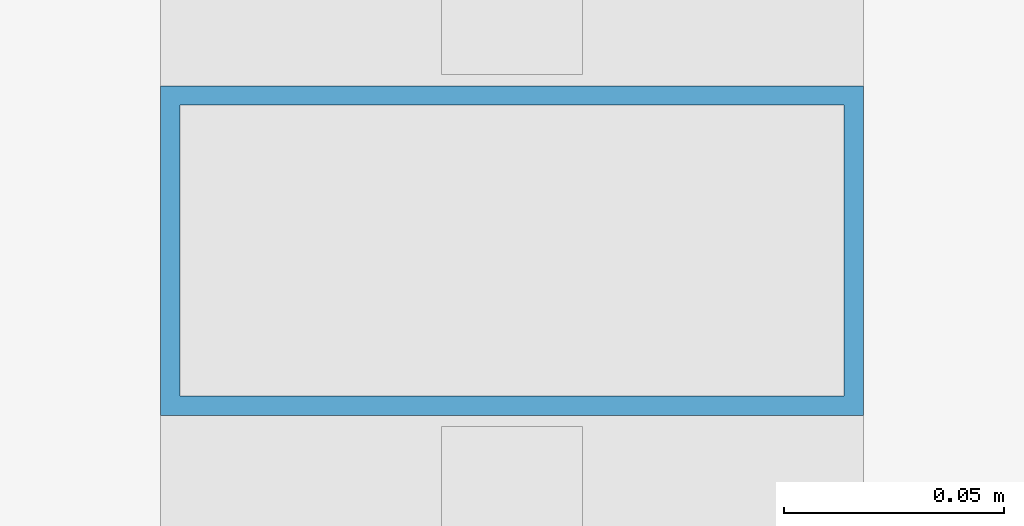
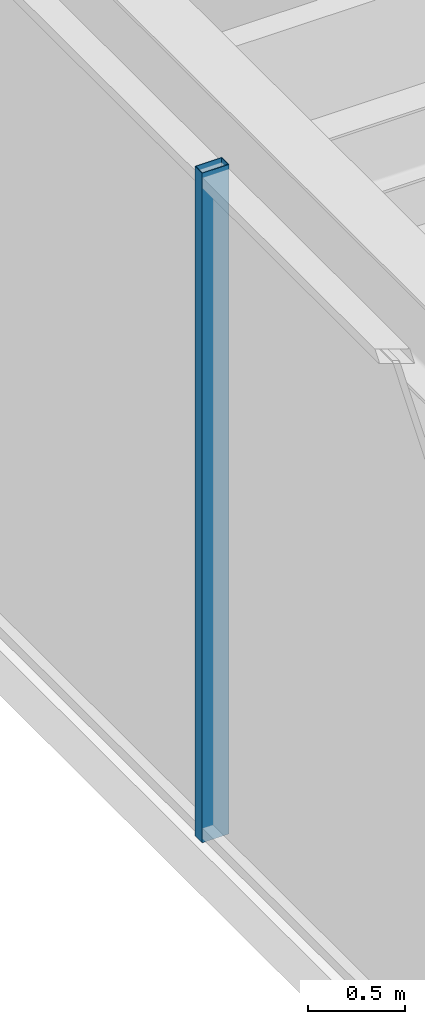
# One storey, part 12 of 47: 1 member, 1 element without a shape of its own.
"""IFC4 building model written with IfcOpenShell, lengths in metres."""

from ifc_helpers import new_model, si_unit, direction, frame, origin, origin_2d, place, context, subcontext, project, spatial, hollow_rectangle, extrude, material, material_profile, profile_set, type_object, element, aggregate, save


model = new_model("IFC4")

# Units and contexts
model_context = context("Model", 3, precision=1e-05, world=origin(), true_north=direction((0.0, 1.0)))
body_context = subcontext(model_context, "Body", "Model", "MODEL_VIEW")
ifc_project = project(units=[si_unit("LENGTHUNIT", "METRE"), si_unit("AREAUNIT", "SQUARE_METRE"), si_unit("VOLUMEUNIT", "CUBIC_METRE"), si_unit("PLANEANGLEUNIT", "RADIAN"), si_unit("MASSUNIT", "GRAM", prefix="KILO")], contexts=[model_context])

# Site, building, storey
site_placement = place(None, origin())
site = spatial("IfcSite", under=ifc_project, at=site_placement, CompositionType="ELEMENT")
building_placement = place(site_placement, origin())
building = spatial("IfcBuilding", under=site, at=building_placement, Name="Kolvaren Belvedere", CompositionType="ELEMENT")
storey_placement = place(building_placement, frame((0.0, 0.0, 5.5)))
storey = spatial("IfcBuildingStorey", under=building, at=storey_placement, Name="L02", CompositionType="ELEMENT", Elevation=5.5)

# Curtain wall, member
ifc_material_1 = material(Name="Anodised pale-metal aluminium AA 6063-T6", Category="aluminium")
curtain_wall_type = type_object("IfcCurtainWallType", Name="CW-POD-A", PredefinedType="NOTDEFINED", material=ifc_material_1)
curtain_wall_placement = place(storey_placement, origin())
curtain_wall = element("IfcCurtainWall", 1, at=curtain_wall_placement, inside=storey, type_object=curtain_wall_type, Name="L02 Unitised Curtain Wall FCW-L02-SEG8", PredefinedType="NOTDEFINED")
ifc_material_2 = material(Name="Anodised pale-metal aluminium AA 6063-T6", Category="aluminium")
ifc_material_profile = material_profile(ifc_material_2, hollow_rectangle(XDim=0.074951171875, YDim=0.159912109375, WallThickness=0.00439453125, at=origin_2d()), Name="ALU-MUL-160X75")
ifc_profile_set = profile_set([ifc_material_profile], Name="Anodised pale-metal aluminium AA 6063-T6")
member_type = type_object("IfcMemberType", Name="CW-MUL-160", PredefinedType="MULLION", material=ifc_profile_set)
member_placement = place(storey_placement, frame((-27.8798828125, 0.0, 0.0), z_axis=(0.0, 0.0, 1.0), x_axis=(0.0, 1.0, 0.0)))
member = element("IfcMember", 2, at=member_placement, type_object=member_type, Name="FCW-L02-SEG8 Unitised Mullion 3", PredefinedType="MULLION", context=body_context, shape_type="SweptSolid", body=[
    extrude(hollow_rectangle(XDim=0.074951171875, YDim=0.159912109375, WallThickness=0.00439453125, at=origin_2d()), origin(), (0.0, 0.0, 1.0), 4.219970703125),
])
aggregate(curtain_wall, [member])

save(model, "model.ifc")
